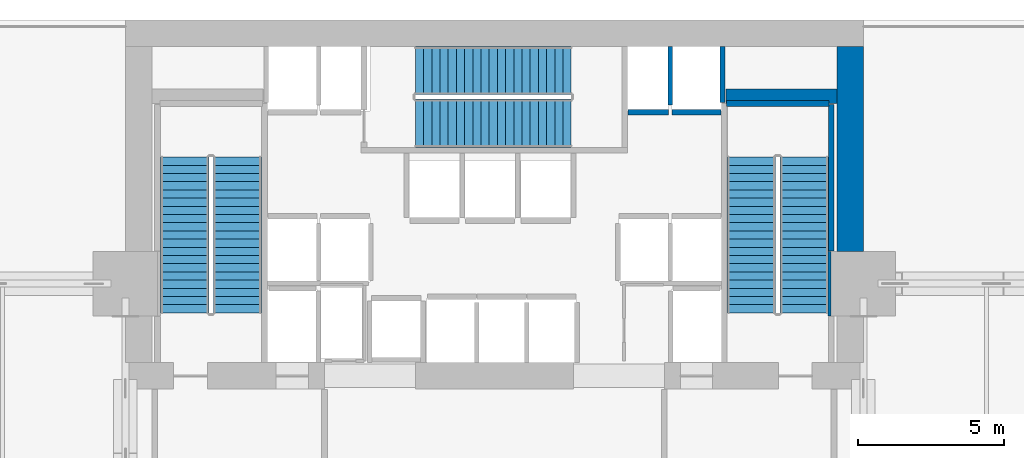
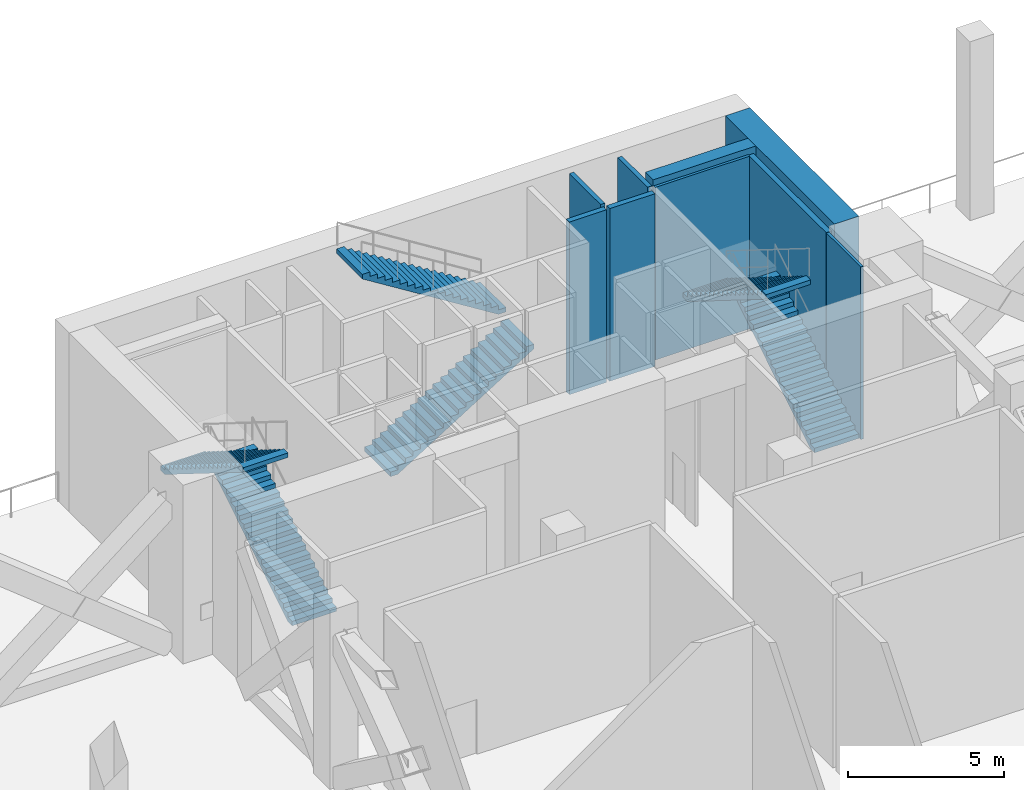
# One storey, part 13 of 16: 9 walls, 6 stair flights, 3 elements without a shape of their own.
"""IFC4 building model written with IfcOpenShell, lengths in metres."""

import ifcopenshell
import ifcopenshell.guid

model = None  # the IFC model being written
_history = None  # IfcOwnerHistory: only IFC2X3 demands one
_inside = {}  # id of a spatial element -> (the spatial element, [elements in it])
_under = {}  # id of a project, library or spatial element -> (it, [spatial elements below it])
_declared = {}  # id of a project -> (the project, [libraries it declares])
_typed = {}  # id of a type object -> (the type object, [elements of that type])
_made_of = {}  # id of a material, layer set ... -> (it, [elements and type objects made of it])


def new_model(schema):
    """Start an empty IFC model of exactly this schema.

    Asked for "IFC4X3", IfcOpenShell would pick the latest addendum, in which some entities
    have other attributes; the version numbers below select the first issue.
    IFC2X3 requires an IfcOwnerHistory on every rooted entity: one is made here for all.
    """
    global model, _history
    if schema == "IFC4X3":
        model = ifcopenshell.file(schema_version=(4, 3, 0, 0))
    else:
        model = ifcopenshell.file(schema=schema)
    _inside.clear()
    _under.clear()
    _declared.clear()
    _typed.clear()
    _made_of.clear()
    _history = None
    if model.schema == "IFC2X3":
        org = make("IfcOrganization", Name="unknown")
        user = make(
            "IfcPersonAndOrganization",
            ThePerson=make("IfcPerson", FamilyName="unknown"),
            TheOrganization=org,
        )
        app = make(
            "IfcApplication",
            ApplicationDeveloper=org,
            Version="unknown",
            ApplicationFullName="unknown",
            ApplicationIdentifier="unknown",
        )
        _history = make(
            "IfcOwnerHistory",
            OwningUser=user,
            OwningApplication=app,
            ChangeAction="ADDED",
            CreationDate=0,
        )
    return model


def make(cls, **values):
    """One entity of the class cls with the attributes given. An attribute that is None is left unset."""
    return model.create_entity(
        cls, **{name: value for name, value in values.items() if value is not None}
    )


def rooted(cls, **values):
    """An entity with a GlobalId (a new one), such as an element, a storey or a relation."""
    return make(cls, GlobalId=ifcopenshell.guid.new(), OwnerHistory=_history, **values)


def si_unit(unit_type, name, prefix=None):
    """IfcSIUnit, for example si_unit("LENGTHUNIT", "METRE", prefix="MILLI")."""
    return make("IfcSIUnit", UnitType=unit_type, Prefix=prefix, Name=name)


def assignment(units):
    """IfcUnitAssignment: the units of a project."""
    return None if units is None else make("IfcUnitAssignment", Units=units)


def point(xyz):
    """IfcCartesianPoint."""
    return None if xyz is None else make("IfcCartesianPoint", Coordinates=xyz)


def direction(xyz):
    """IfcDirection."""
    return None if xyz is None else make("IfcDirection", DirectionRatios=xyz)


def frame(location, z_axis=None, x_axis=None):
    """IfcAxis2Placement3D, a coordinate frame: its origin and axes. An axis left out is left unset."""
    return make(
        "IfcAxis2Placement3D",
        Location=point(location),
        Axis=direction(z_axis),
        RefDirection=direction(x_axis),
    )


def frame_2d(location, x_axis=None):
    """IfcAxis2Placement2D, a coordinate frame in the plane: its origin and x axis."""
    return make(
        "IfcAxis2Placement2D", Location=point(location), RefDirection=direction(x_axis)
    )


def origin():
    """The frame at (0, 0, 0) with its axes left unset."""
    return frame((0.0, 0.0, 0.0))


def place(relative_to, where):
    """IfcLocalPlacement: puts the frame where relative to a parent placement (None: the world)."""
    return make(
        "IfcLocalPlacement", PlacementRelTo=relative_to, RelativePlacement=where
    )


def context(
    kind, dimensions, precision=None, world=None, true_north=None, identifier=None
):
    """IfcGeometricRepresentationContext, for example the 3D "Model" context."""
    return make(
        "IfcGeometricRepresentationContext",
        ContextIdentifier=identifier,
        ContextType=kind,
        CoordinateSpaceDimension=dimensions,
        Precision=precision,
        WorldCoordinateSystem=world,
        TrueNorth=true_north,
    )


def subcontext(parent, identifier, kind, view, scale=None):
    """IfcGeometricRepresentationSubContext, for example "Body" below "Model"."""
    return make(
        "IfcGeometricRepresentationSubContext",
        ContextIdentifier=identifier,
        ContextType=kind,
        ParentContext=parent,
        TargetScale=scale,
        TargetView=view,
    )


def project(units=None, contexts=None):
    """IfcProject with its units and contexts."""
    return rooted(
        "IfcProject",
        Name="project",
        RepresentationContexts=contexts,
        UnitsInContext=assignment(units),
    )


def spatial(cls, under=None, at=None, **own):
    """A site, building, storey or space (cls), placed at a placement, below another one or the project."""
    s = rooted(cls, ObjectPlacement=at, **own)
    if under is not None:
        _under.setdefault(under.id(), (under, []))[1].append(s)
    return s


def polyline(points):
    """IfcPolyline through the points."""
    return make("IfcPolyline", Points=[point(p) for p in points])


def profile(cls, at=None, kind="AREA", **sizes):
    """A parametric profile (cls). Its sizes go by their IFC names, for example OverallWidth=200.0."""
    return make(cls, ProfileType=kind, Position=at, **sizes)


def rectangle(**sizes):
    """IfcRectangleProfileDef."""
    return profile("IfcRectangleProfileDef", **sizes)


def outline(outer, holes=None, kind="AREA"):
    """IfcArbitraryClosedProfileDef: a profile drawn as a closed curve; with holes, ...WithVoids."""
    if holes is None:
        return make("IfcArbitraryClosedProfileDef", ProfileType=kind, OuterCurve=outer)
    return make(
        "IfcArbitraryProfileDefWithVoids",
        ProfileType=kind,
        OuterCurve=outer,
        InnerCurves=holes,
    )


def extrude(swept, where, along, depth):
    """IfcExtrudedAreaSolid: the profile swept, set in the frame where, extruded along a direction by depth."""
    return make(
        "IfcExtrudedAreaSolid",
        SweptArea=swept,
        Position=where,
        ExtrudedDirection=direction(along),
        Depth=depth,
    )


def shape(context_of_items, identifier, shape_type, items):
    """IfcShapeRepresentation: the items that make up one representation, for example the "Body"."""
    return make(
        "IfcShapeRepresentation",
        ContextOfItems=context_of_items,
        RepresentationIdentifier=identifier,
        RepresentationType=shape_type,
        Items=items,
    )


def material(Name=None, Category=None):
    """IfcMaterial."""
    return make("IfcMaterial", Name=Name, Category=Category)


def layer(
    of_material, thickness, ventilated=None, Name=None, Category=None, Priority=None
):
    """IfcMaterialLayer: one layer of a wall or slab, of a material (None: an air gap)."""
    return make(
        "IfcMaterialLayer",
        Material=of_material,
        LayerThickness=thickness,
        IsVentilated=ventilated,
        Name=Name,
        Category=Category,
        Priority=Priority,
    )


def layer_set(layers, Name=None):
    """IfcMaterialLayerSet."""
    return make("IfcMaterialLayerSet", MaterialLayers=layers, LayerSetName=Name)


def made_of(thing, what):
    """Note that an element or type object is made of a material, layer set ...; save() writes the relation."""
    if what is not None:
        _made_of.setdefault(what.id(), (what, []))[1].append(thing)
    return thing


def type_object(cls, material=None, **own):
    """A type object (cls), such as IfcWallType, which elements share."""
    return made_of(rooted(cls, **own), material)


def element(
    cls,
    number,
    at=None,
    inside=None,
    cuts=None,
    type_object=None,
    material=None,
    context=None,
    identifier="Body",
    shape_type=None,
    held_by="IfcProductDefinitionShape",
    body=None,
    shapes=None,
    **own,
):
    """One element of the class cls, such as IfcWall. Its Tag is "e" and its number.

    at: its placement. inside: the storey or other place that contains it. cuts: it is an
    opening in that element (IfcRelVoidsElement). A single representation is given by context,
    identifier, shape_type and body (its items); several are given by shapes. held_by: the class
    of the entity that holds the representations. save() writes the other relations.
    """
    e = rooted(cls, Tag="e%d" % number, ObjectPlacement=at, **own)
    if body is not None:
        shapes = [shape(context, identifier, shape_type, body)]
    if shapes is not None:
        e.Representation = make(held_by, Representations=shapes)
    if inside is not None:
        _inside.setdefault(inside.id(), (inside, []))[1].append(e)
    if cuts is not None:
        rooted(
            "IfcRelVoidsElement", RelatingBuildingElement=cuts, RelatedOpeningElement=e
        )
    if type_object is not None:
        _typed.setdefault(type_object.id(), (type_object, []))[1].append(e)
    return made_of(e, material)


def aggregate(whole, parts):
    """IfcRelAggregates: a whole, such as a stair, and the parts it consists of."""
    return rooted("IfcRelAggregates", RelatingObject=whole, RelatedObjects=parts)


def save(model, path):
    """Write the relations noted so far, then the file.

    IfcRelAggregates (storeys below a building ...), IfcRelContainedInSpatialStructure (elements
    in a storey), IfcRelDefinesByType, IfcRelAssociatesMaterial and IfcRelDeclares: one each for
    every whole, place, type object, material and project.
    """
    for whole, parts in _under.values():
        aggregate(whole, parts)
    for where, things in _inside.values():
        rooted(
            "IfcRelContainedInSpatialStructure",
            RelatedElements=things,
            RelatingStructure=where,
        )
    for kind, things in _typed.values():
        rooted("IfcRelDefinesByType", RelatedObjects=things, RelatingType=kind)
    for what, things in _made_of.values():
        rooted("IfcRelAssociatesMaterial", RelatedObjects=things, RelatingMaterial=what)
    for by, libraries in _declared.values():
        rooted("IfcRelDeclares", RelatingContext=by, RelatedDefinitions=libraries)
    model.write(path)


model = new_model("IFC4")

# Units and contexts
model_context = context("Model", 3, precision=1e-05, world=origin(), true_north=direction((0.0, 1.0)))
body_context = subcontext(model_context, "Body", "Model", "MODEL_VIEW")
ifc_project = project(units=[si_unit("LENGTHUNIT", "METRE"), si_unit("AREAUNIT", "SQUARE_METRE"), si_unit("VOLUMEUNIT", "CUBIC_METRE"), si_unit("PLANEANGLEUNIT", "RADIAN"), si_unit("MASSUNIT", "GRAM", prefix="KILO")], contexts=[model_context])

# Site, building, storey
site_placement = place(None, origin())
site = spatial("IfcSite", under=ifc_project, at=site_placement, CompositionType="ELEMENT")
building_placement = place(site_placement, origin())
building = spatial("IfcBuilding", under=site, at=building_placement, Name="Maruvema Waterfront Hotel and Observation Tower", CompositionType="ELEMENT")
storey_placement = place(building_placement, frame((0.0, 0.0, 115.5)))
storey = spatial("IfcBuildingStorey", under=building, at=storey_placement, Name="L28", CompositionType="ELEMENT", Elevation=115.5)

# Walls
ifc_material_1 = material(Name="Precast concrete C45/55", Category="concrete")
ifc_layer_1 = layer(ifc_material_1, 0.199951171875, Name="Core Shaft and Stairwell Enclosure Wall 200 mm")
ifc_layer_set_1 = layer_set([ifc_layer_1], Name="Precast concrete C45/55")
wall_type_1 = type_object("IfcWallType", Name="Core Shaft and Stairwell Enclosure Wall 200 mm", PredefinedType="SOLIDWALL", material=ifc_layer_set_1)
wall_1_placement = place(storey_placement, frame((49.300048828125, 46.1201171875, 0.0), z_axis=(0.0, 0.0, 1.0), x_axis=(0.0, 1.0, 0.0)))
element("IfcWall", 1, at=wall_1_placement, inside=storey, type_object=wall_type_1, Name="L28 Stairwell ST-03 Shaft Lining Wall", PredefinedType="SOLIDWALL", context=body_context, shape_type="SweptSolid", body=[
    extrude(rectangle(XDim=5.0, YDim=0.199951171875, at=frame_2d((2.5, 0.0))), origin(), (0.0, 0.0, 1.0), 6.760009765625),
])
wall_2_placement = place(storey_placement, frame((45.719970703125, 51.14990234375, 0.0), z_axis=(0.0, 0.0, 1.0), x_axis=(1.0, 0.0, 0.0)))
element("IfcWall", 2, at=wall_2_placement, inside=storey, type_object=wall_type_1, Name="L28 Stairwell ST-03 Shaft Lining Wall", PredefinedType="SOLIDWALL", context=body_context, shape_type="SweptSolid", body=[
    extrude(rectangle(XDim=3.5, YDim=0.199951171875, at=frame_2d((1.75, 0.0))), origin(), (0.0, 0.0, 1.0), 6.760009765625),
])
wall_3_placement = place(storey_placement, frame((42.360107421875, 50.85009765625, 0.0), z_axis=(0.0, 0.0, 1.0), x_axis=(1.0, 0.0, 0.0)))
element("IfcWall", 3, at=wall_3_placement, inside=storey, type_object=wall_type_1, Name="L28 Lift LF-07 Hoistway Front Wall", PredefinedType="SOLIDWALL", context=body_context, shape_type="SweptSolid", body=[
    extrude(rectangle(XDim=1.3798828125, YDim=0.199951171875, at=frame_2d((0.68994140625, 0.0))), origin(), (0.0, 0.0, 1.0), 6.760009765625),
])
wall_4_placement = place(storey_placement, frame((43.860107421875, 50.85009765625, 0.0), z_axis=(0.0, 0.0, 1.0), x_axis=(1.0, 0.0, 0.0)))
element("IfcWall", 4, at=wall_4_placement, inside=storey, type_object=wall_type_1, Name="L28 Lift LF-08 Hoistway Front Wall", PredefinedType="SOLIDWALL", context=body_context, shape_type="SweptSolid", body=[
    extrude(rectangle(XDim=1.679931640625, YDim=0.199951171875, at=frame_2d((0.83984375, 0.0))), origin(), (0.0, 0.0, 1.0), 6.760009765625),
])
ifc_material_2 = material(Name="Concrete C70/85", Category="concrete")
ifc_layer_2 = layer(ifc_material_2, 0.5, Name="Core Shear Wall 500 mm")
ifc_layer_set_2 = layer_set([ifc_layer_2], Name="Concrete C70/85")
wall_type_2 = type_object("IfcWallType", Name="Core Shear Wall 500 mm", PredefinedType="SHEAR", material=ifc_layer_set_2)
wall_5_placement = place(storey_placement, frame((45.699951171875, 51.39990234375, 0.0), z_axis=(0.0, 0.0, 1.0), x_axis=(1.0, 0.0, 0.0)))
element("IfcWall", 5, at=wall_5_placement, inside=storey, type_object=wall_type_2, Name="L28 Internal Core Shear Wall NE 500 mm", PredefinedType="SHEAR", context=body_context, shape_type="SweptSolid", body=[
    extrude(rectangle(XDim=3.800048828125, YDim=0.5, at=frame_2d((1.89990234375, 0.0))), origin(), (0.0, 0.0, 1.0), 7.0),
])
ifc_material_3 = material(Name="Concrete C80/95", Category="concrete")
ifc_layer_3 = layer(ifc_material_3, 0.89990234375, Name="Core Shear Wall 900 mm")
ifc_layer_set_3 = layer_set([ifc_layer_3], Name="Concrete C80/95")
wall_type_3 = type_object("IfcWallType", Name="Core Shear Wall 900 mm", PredefinedType="SHEAR", material=ifc_layer_set_3)
wall_6_placement = place(storey_placement, frame((49.949951171875, 46.10009765625, 0.0), z_axis=(0.0, 0.0, 1.0), x_axis=(0.0, 1.0, 0.0)))
element("IfcWall", 6, at=wall_6_placement, inside=storey, type_object=wall_type_3, Name="L28 East-North Core Shear Wall", PredefinedType="SHEAR", context=body_context, shape_type="SweptSolid", body=[
    extrude(rectangle(XDim=7.0, YDim=0.89990234375, at=frame_2d((3.5, 0.0))), origin(), (0.0, 0.0, 1.0), 7.0),
])
ifc_material_4 = material(Name="Precast concrete C45/55", Category="concrete")
ifc_layer_4 = layer(ifc_material_4, 0.159912109375, Name="Lift Hoistway Divider Wall 160 mm")
ifc_layer_set_4 = layer_set([ifc_layer_4], Name="Precast concrete C45/55")
wall_type_4 = type_object("IfcWallType", Name="Lift Hoistway Divider Wall 160 mm", PredefinedType="SOLIDWALL", material=ifc_layer_set_4)
wall_7_placement = place(storey_placement, frame((45.590087890625, 51.179931640625, 0.0), z_axis=(0.0, 0.0, 1.0), x_axis=(0.0, 1.0, 0.0)))
element("IfcWall", 7, at=wall_7_placement, inside=storey, type_object=wall_type_4, Name="L28 Hoistway Divider Wall", PredefinedType="SOLIDWALL", context=body_context, shape_type="SweptSolid", body=[
    extrude(rectangle(XDim=1.920166015625, YDim=0.159912109375, at=frame_2d((0.9599609375, 0.0))), origin(), (0.0, 0.0, 1.0), 6.760009765625),
])
wall_8_placement = place(storey_placement, frame((43.800048828125, 51.10009765625, 0.0), z_axis=(0.0, 0.0, 1.0), x_axis=(0.0, 1.0, 0.0)))
element("IfcWall", 8, at=wall_8_placement, inside=storey, type_object=wall_type_4, Name="L28 Hoistway Divider Wall", PredefinedType="SOLIDWALL", context=body_context, shape_type="SweptSolid", body=[
    extrude(rectangle(XDim=2.0, YDim=0.159912109375, at=frame_2d((1.0, 0.0))), origin(), (0.0, 0.0, 1.0), 6.760009765625),
])
ifc_material_5 = material(Name="Precast concrete C45/55", Category="concrete")
ifc_layer_5 = layer(ifc_material_5, 0.10009765625, Name="Stairwell Stringer Cheek Wall 100 mm")
ifc_layer_set_5 = layer_set([ifc_layer_5], Name="Precast concrete C45/55")
wall_type_5 = type_object("IfcWallType", Name="Stairwell Stringer Cheek Wall 100 mm", PredefinedType="SOLIDWALL", material=ifc_layer_set_5)
wall_9_placement = place(storey_placement, frame((49.248046875, 43.89990234375, 0.0), z_axis=(0.0, 0.0, 1.0), x_axis=(0.0, 1.0, 0.0)))
element("IfcWall", 9, at=wall_9_placement, inside=storey, type_object=wall_type_5, Name="L28 Stairwell ST-03 Mega-Column Cheek Wall", PredefinedType="SOLIDWALL", context=body_context, shape_type="SweptSolid", body=[
    extrude(rectangle(XDim=2.2001953125, YDim=0.10009765625, at=frame_2d((1.10009765625, 0.0))), origin(), (0.0, 0.0, 1.0), 6.760009765625),
])

# Stair, stair flights
ifc_material_6 = material(Name="Concrete C50/60", Category="concrete")
stair_type = type_object("IfcStairType", Name="Dogleg Exit Stair 1650 mm (40R x 175.0 mm)", PredefinedType="HALF_TURN_STAIR", material=ifc_material_6)
stair_1_placement = place(storey_placement, origin())
stair_1 = element("IfcStair", 10, at=stair_1_placement, inside=storey, type_object=stair_type, Name="L28 ST-01", PredefinedType="HALF_TURN_STAIR")
ifc_material_7 = material(Name="Concrete C50/60", Category="concrete")
stair_flight_type = type_object("IfcStairFlightType", Name="Reinforced Concrete Stair Flight 1650 mm (20R x 175.0 mm)", PredefinedType="STRAIGHT", material=ifc_material_7)
stair_flight_1_placement = place(storey_placement, frame((29.02490234375, 44.0, 0.0), z_axis=(0.0, 0.0, 1.0), x_axis=(0.0, 1.0, 0.0)))
stair_flight_1 = element("IfcStairFlight", 11, at=stair_flight_1_placement, type_object=stair_flight_type, Name="ST-01 flight 1", NumberOfRisers=20, NumberOfTreads=19, PredefinedType="STRAIGHT", RiserHeight=0.175, TreadLength=0.28, context=body_context, shape_type="SweptSolid", body=[
    extrude(outline(polyline([(0.0, 0.0), (0.0, 0.175048828125), (0.280029296875, 0.175048828125), (0.280029296875, 0.35009765625), (0.56005859375, 0.35009765625), (0.56005859375, 0.52490234375), (0.840087890625, 0.52490234375), (0.840087890625, 0.699951171875), (1.1201171875, 0.699951171875), (1.1201171875, 0.875), (1.39990234375, 0.875), (1.39990234375, 1.050048828125), (1.679931640625, 1.050048828125), (1.679931640625, 1.22509765625), (1.9599609375, 1.22509765625), (1.9599609375, 1.39990234375), (2.239990234375, 1.39990234375), (2.239990234375, 1.574951171875), (2.52001953125, 1.574951171875), (2.52001953125, 1.75), (2.800048828125, 1.75), (2.800048828125, 1.925048828125), (3.080078125, 1.925048828125), (3.080078125, 2.10009765625), (3.360107421875, 2.10009765625), (3.360107421875, 2.27490234375), (3.639892578125, 2.27490234375), (3.639892578125, 2.449951171875), (3.919921875, 2.449951171875), (3.919921875, 2.625), (4.199951171875, 2.625), (4.199951171875, 2.800048828125), (4.47998046875, 2.800048828125), (4.47998046875, 2.97509765625), (4.760009765625, 2.97509765625), (4.760009765625, 3.14990234375), (5.0400390625, 3.14990234375), (5.0400390625, 3.324951171875), (5.320068359375, 3.324951171875), (5.320068359375, 3.5), (5.320068359375, 3.148193359375), (0.28271484375, 0.0), (0.0, 0.0)])), frame((0.0, 0.824951171875, 0.0), z_axis=(0.0, -1.0, 0.0), x_axis=(1.0, 0.0, 0.0)), (0.0, 0.0, 1.0), 1.64990234375),
])
stair_flight_2_placement = place(storey_placement, frame((27.22509765625, 49.320068359375, 3.5), z_axis=(0.0, 0.0, 1.0), x_axis=(0.0, -1.0, 0.0)))
stair_flight_2 = element("IfcStairFlight", 12, at=stair_flight_2_placement, type_object=stair_flight_type, Name="ST-01 flight 2", NumberOfRisers=20, NumberOfTreads=19, PredefinedType="STRAIGHT", RiserHeight=0.175, TreadLength=0.28, context=body_context, shape_type="SweptSolid", body=[
    extrude(outline(polyline([(0.0, 0.0), (0.0, 0.175048828125), (0.280029296875, 0.175048828125), (0.280029296875, 0.35009765625), (0.56005859375, 0.35009765625), (0.56005859375, 0.52490234375), (0.840087890625, 0.52490234375), (0.840087890625, 0.699951171875), (1.1201171875, 0.699951171875), (1.1201171875, 0.875), (1.39990234375, 0.875), (1.39990234375, 1.050048828125), (1.679931640625, 1.050048828125), (1.679931640625, 1.22509765625), (1.9599609375, 1.22509765625), (1.9599609375, 1.39990234375), (2.239990234375, 1.39990234375), (2.239990234375, 1.574951171875), (2.52001953125, 1.574951171875), (2.52001953125, 1.75), (2.800048828125, 1.75), (2.800048828125, 1.925048828125), (3.080078125, 1.925048828125), (3.080078125, 2.10009765625), (3.360107421875, 2.10009765625), (3.360107421875, 2.27490234375), (3.639892578125, 2.27490234375), (3.639892578125, 2.449951171875), (3.919921875, 2.449951171875), (3.919921875, 2.625), (4.199951171875, 2.625), (4.199951171875, 2.800048828125), (4.47998046875, 2.800048828125), (4.47998046875, 2.97509765625), (4.760009765625, 2.97509765625), (4.760009765625, 3.14990234375), (5.0400390625, 3.14990234375), (5.0400390625, 3.324951171875), (5.320068359375, 3.324951171875), (5.320068359375, 3.5), (5.320068359375, 3.148193359375), (0.28271484375, 0.0), (0.0, 0.0)])), frame((0.0, 0.824951171875, 0.0), z_axis=(0.0, -1.0, 0.0), x_axis=(1.0, 0.0, 0.0)), (0.0, 0.0, 1.0), 1.64990234375),
])
aggregate(stair_1, [stair_flight_1, stair_flight_2])

stair_2_placement = place(storey_placement, origin())
stair_2 = element("IfcStair", 13, at=stair_2_placement, inside=storey, type_object=stair_type, Name="L28 ST-02", PredefinedType="HALF_TURN_STAIR")
stair_flight_3_placement = place(storey_placement, frame((35.10009765625, 50.47509765625, 0.0), z_axis=(0.0, 0.0, 1.0), x_axis=(1.0, 0.0, 0.0)))
stair_flight_3 = element("IfcStairFlight", 14, at=stair_flight_3_placement, type_object=stair_flight_type, Name="ST-02 flight 1", NumberOfRisers=20, NumberOfTreads=19, PredefinedType="STRAIGHT", RiserHeight=0.175, TreadLength=0.28, context=body_context, shape_type="SweptSolid", body=[
    extrude(outline(polyline([(0.0, 0.0), (0.0, 0.175048828125), (0.280029296875, 0.175048828125), (0.280029296875, 0.35009765625), (0.56005859375, 0.35009765625), (0.56005859375, 0.52490234375), (0.840087890625, 0.52490234375), (0.840087890625, 0.699951171875), (1.1201171875, 0.699951171875), (1.1201171875, 0.875), (1.39990234375, 0.875), (1.39990234375, 1.050048828125), (1.679931640625, 1.050048828125), (1.679931640625, 1.22509765625), (1.9599609375, 1.22509765625), (1.9599609375, 1.39990234375), (2.239990234375, 1.39990234375), (2.239990234375, 1.574951171875), (2.52001953125, 1.574951171875), (2.52001953125, 1.75), (2.800048828125, 1.75), (2.800048828125, 1.925048828125), (3.080078125, 1.925048828125), (3.080078125, 2.10009765625), (3.360107421875, 2.10009765625), (3.360107421875, 2.27490234375), (3.639892578125, 2.27490234375), (3.639892578125, 2.449951171875), (3.919921875, 2.449951171875), (3.919921875, 2.625), (4.199951171875, 2.625), (4.199951171875, 2.800048828125), (4.47998046875, 2.800048828125), (4.47998046875, 2.97509765625), (4.760009765625, 2.97509765625), (4.760009765625, 3.14990234375), (5.0400390625, 3.14990234375), (5.0400390625, 3.324951171875), (5.320068359375, 3.324951171875), (5.320068359375, 3.5), (5.320068359375, 3.148193359375), (0.28271484375, 0.0), (0.0, 0.0)])), frame((0.0, 0.824951171875, 0.0), z_axis=(0.0, -1.0, 0.0), x_axis=(1.0, 0.0, 0.0)), (0.0, 0.0, 1.0), 1.64990234375),
])
stair_flight_4_placement = place(storey_placement, frame((40.419921875, 52.27490234375, 3.5), z_axis=(0.0, 0.0, 1.0), x_axis=(-1.0, 0.0, 0.0)))
stair_flight_4 = element("IfcStairFlight", 15, at=stair_flight_4_placement, type_object=stair_flight_type, Name="ST-02 flight 2", NumberOfRisers=20, NumberOfTreads=19, PredefinedType="STRAIGHT", RiserHeight=0.175, TreadLength=0.28, context=body_context, shape_type="SweptSolid", body=[
    extrude(outline(polyline([(0.0, 0.0), (0.0, 0.175048828125), (0.280029296875, 0.175048828125), (0.280029296875, 0.35009765625), (0.56005859375, 0.35009765625), (0.56005859375, 0.52490234375), (0.840087890625, 0.52490234375), (0.840087890625, 0.699951171875), (1.1201171875, 0.699951171875), (1.1201171875, 0.875), (1.39990234375, 0.875), (1.39990234375, 1.050048828125), (1.679931640625, 1.050048828125), (1.679931640625, 1.22509765625), (1.9599609375, 1.22509765625), (1.9599609375, 1.39990234375), (2.239990234375, 1.39990234375), (2.239990234375, 1.574951171875), (2.52001953125, 1.574951171875), (2.52001953125, 1.75), (2.800048828125, 1.75), (2.800048828125, 1.925048828125), (3.080078125, 1.925048828125), (3.080078125, 2.10009765625), (3.360107421875, 2.10009765625), (3.360107421875, 2.27490234375), (3.639892578125, 2.27490234375), (3.639892578125, 2.449951171875), (3.919921875, 2.449951171875), (3.919921875, 2.625), (4.199951171875, 2.625), (4.199951171875, 2.800048828125), (4.47998046875, 2.800048828125), (4.47998046875, 2.97509765625), (4.760009765625, 2.97509765625), (4.760009765625, 3.14990234375), (5.0400390625, 3.14990234375), (5.0400390625, 3.324951171875), (5.320068359375, 3.324951171875), (5.320068359375, 3.5), (5.320068359375, 3.148193359375), (0.28271484375, 0.0), (0.0, 0.0)])), frame((0.0, 0.824951171875, 0.0), z_axis=(0.0, -1.0, 0.0), x_axis=(1.0, 0.0, 0.0)), (0.0, 0.0, 1.0), 1.64990234375),
])
aggregate(stair_2, [stair_flight_3, stair_flight_4])

stair_3_placement = place(storey_placement, origin())
stair_3 = element("IfcStair", 16, at=stair_3_placement, inside=storey, type_object=stair_type, Name="L28 ST-03", PredefinedType="HALF_TURN_STAIR")
stair_flight_5_placement = place(storey_placement, frame((48.375, 44.0, 0.0), z_axis=(0.0, 0.0, 1.0), x_axis=(0.0, 1.0, 0.0)))
stair_flight_5 = element("IfcStairFlight", 17, at=stair_flight_5_placement, type_object=stair_flight_type, Name="ST-03 flight 1", NumberOfRisers=20, NumberOfTreads=19, PredefinedType="STRAIGHT", RiserHeight=0.175, TreadLength=0.28, context=body_context, shape_type="SweptSolid", body=[
    extrude(outline(polyline([(0.0, 0.0), (0.0, 0.175048828125), (0.280029296875, 0.175048828125), (0.280029296875, 0.35009765625), (0.56005859375, 0.35009765625), (0.56005859375, 0.52490234375), (0.840087890625, 0.52490234375), (0.840087890625, 0.699951171875), (1.1201171875, 0.699951171875), (1.1201171875, 0.875), (1.39990234375, 0.875), (1.39990234375, 1.050048828125), (1.679931640625, 1.050048828125), (1.679931640625, 1.22509765625), (1.9599609375, 1.22509765625), (1.9599609375, 1.39990234375), (2.239990234375, 1.39990234375), (2.239990234375, 1.574951171875), (2.52001953125, 1.574951171875), (2.52001953125, 1.75), (2.800048828125, 1.75), (2.800048828125, 1.925048828125), (3.080078125, 1.925048828125), (3.080078125, 2.10009765625), (3.360107421875, 2.10009765625), (3.360107421875, 2.27490234375), (3.639892578125, 2.27490234375), (3.639892578125, 2.449951171875), (3.919921875, 2.449951171875), (3.919921875, 2.625), (4.199951171875, 2.625), (4.199951171875, 2.800048828125), (4.47998046875, 2.800048828125), (4.47998046875, 2.97509765625), (4.760009765625, 2.97509765625), (4.760009765625, 3.14990234375), (5.0400390625, 3.14990234375), (5.0400390625, 3.324951171875), (5.320068359375, 3.324951171875), (5.320068359375, 3.5), (5.320068359375, 3.148193359375), (0.28271484375, 0.0), (0.0, 0.0)])), frame((0.0, 0.824951171875, 0.0), z_axis=(0.0, -1.0, 0.0), x_axis=(1.0, 0.0, 0.0)), (0.0, 0.0, 1.0), 1.64990234375),
])
stair_flight_6_placement = place(storey_placement, frame((46.574951171875, 49.320068359375, 3.5), z_axis=(0.0, 0.0, 1.0), x_axis=(0.0, -1.0, 0.0)))
stair_flight_6 = element("IfcStairFlight", 18, at=stair_flight_6_placement, type_object=stair_flight_type, Name="ST-03 flight 2", NumberOfRisers=20, NumberOfTreads=19, PredefinedType="STRAIGHT", RiserHeight=0.175, TreadLength=0.28, context=body_context, shape_type="SweptSolid", body=[
    extrude(outline(polyline([(0.0, 0.0), (0.0, 0.175048828125), (0.280029296875, 0.175048828125), (0.280029296875, 0.35009765625), (0.56005859375, 0.35009765625), (0.56005859375, 0.52490234375), (0.840087890625, 0.52490234375), (0.840087890625, 0.699951171875), (1.1201171875, 0.699951171875), (1.1201171875, 0.875), (1.39990234375, 0.875), (1.39990234375, 1.050048828125), (1.679931640625, 1.050048828125), (1.679931640625, 1.22509765625), (1.9599609375, 1.22509765625), (1.9599609375, 1.39990234375), (2.239990234375, 1.39990234375), (2.239990234375, 1.574951171875), (2.52001953125, 1.574951171875), (2.52001953125, 1.75), (2.800048828125, 1.75), (2.800048828125, 1.925048828125), (3.080078125, 1.925048828125), (3.080078125, 2.10009765625), (3.360107421875, 2.10009765625), (3.360107421875, 2.27490234375), (3.639892578125, 2.27490234375), (3.639892578125, 2.449951171875), (3.919921875, 2.449951171875), (3.919921875, 2.625), (4.199951171875, 2.625), (4.199951171875, 2.800048828125), (4.47998046875, 2.800048828125), (4.47998046875, 2.97509765625), (4.760009765625, 2.97509765625), (4.760009765625, 3.14990234375), (5.0400390625, 3.14990234375), (5.0400390625, 3.324951171875), (5.320068359375, 3.324951171875), (5.320068359375, 3.5), (5.320068359375, 3.148193359375), (0.28271484375, 0.0), (0.0, 0.0)])), frame((0.0, 0.824951171875, 0.0), z_axis=(0.0, -1.0, 0.0), x_axis=(1.0, 0.0, 0.0)), (0.0, 0.0, 1.0), 1.64990234375),
])
aggregate(stair_3, [stair_flight_5, stair_flight_6])

save(model, "model.ifc")
